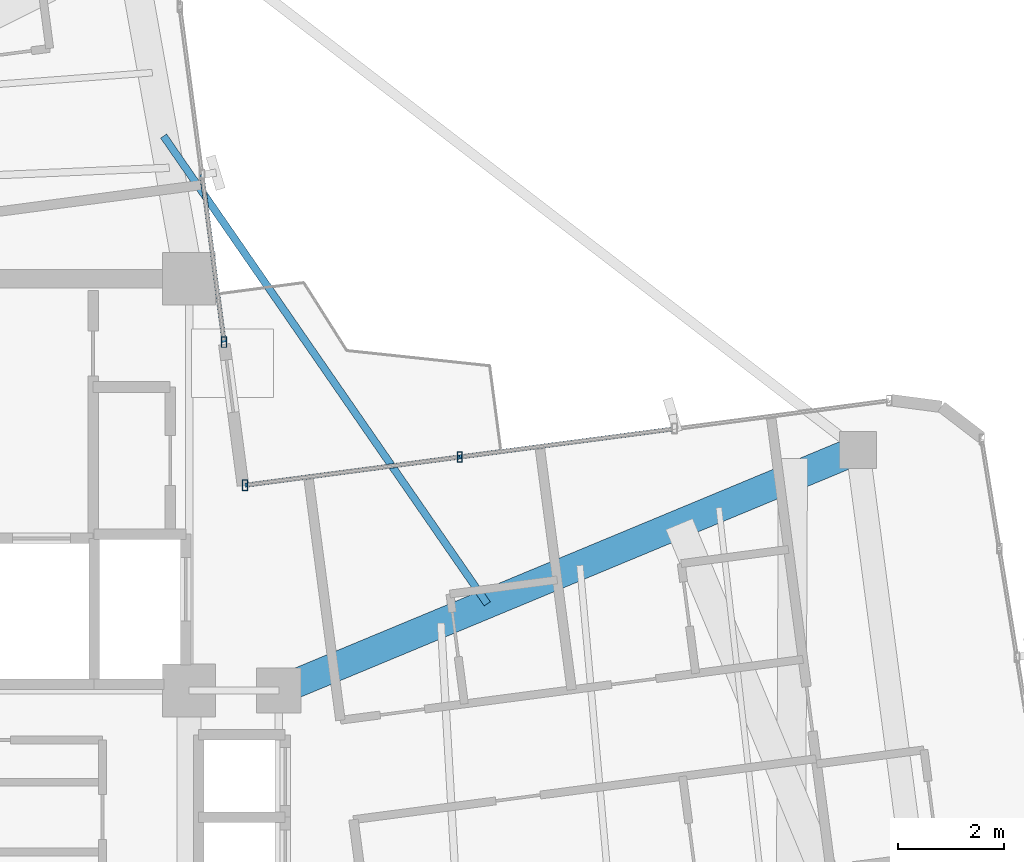
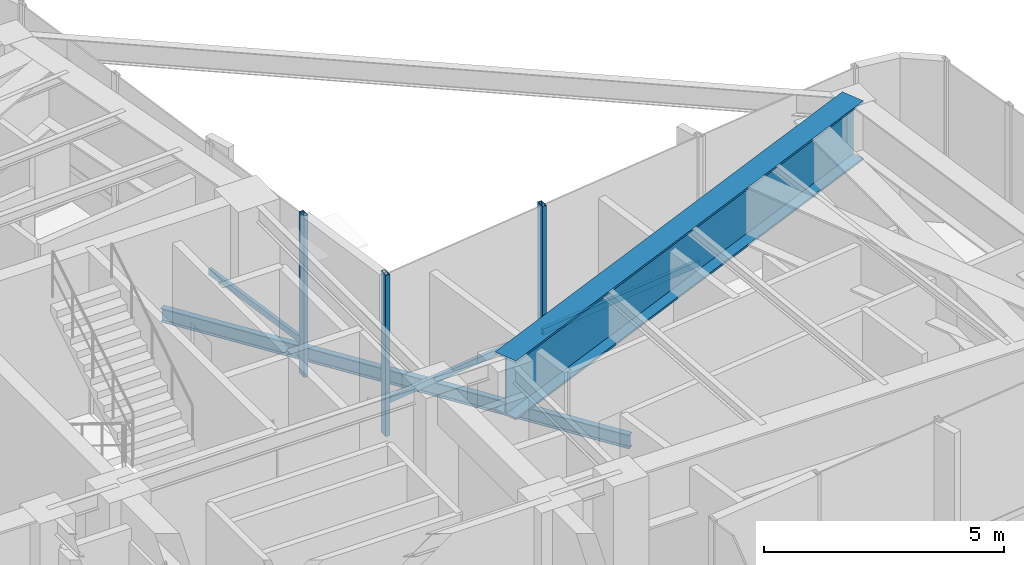
# One storey, part 7 of 18: 6 members, 2 beams, 2 elements without a shape of their own.
"""IFC4 building model written with IfcOpenShell, lengths in metres."""

from ifc_helpers import new_model, si_unit, direction, frame, origin, origin_2d, place, context, subcontext, project, spatial, hollow_rectangle, i_section, extrude, source, transform, mapped, material, material_profile, profile_set, type_object, element, aggregate, save


model = new_model("IFC4")

# Units and contexts
model_context = context("Model", 3, precision=1e-05, world=origin(), true_north=direction((0.0, 1.0)))
body_context = subcontext(model_context, "Body", "Model", "MODEL_VIEW")
ifc_project = project(units=[si_unit("LENGTHUNIT", "METRE"), si_unit("AREAUNIT", "SQUARE_METRE"), si_unit("VOLUMEUNIT", "CUBIC_METRE"), si_unit("PLANEANGLEUNIT", "RADIAN"), si_unit("MASSUNIT", "GRAM", prefix="KILO")], contexts=[model_context])

# Site, building, storey
site_placement = place(None, origin())
site = spatial("IfcSite", under=ifc_project, at=site_placement, CompositionType="ELEMENT")
building_placement = place(site_placement, origin())
building = spatial("IfcBuilding", under=site, at=building_placement, Name="Sahyath Konkavel Grand Hotel", CompositionType="ELEMENT")
storey_placement = place(building_placement, frame((0.0, 0.0, 275.800048828125)))
storey = spatial("IfcBuildingStorey", under=building, at=storey_placement, Name="L77", CompositionType="ELEMENT", Elevation=275.800048828125)

# Beam
ifc_material_1 = material(Name="Steel E450", Category="steel")
ifc_material_profile_1 = material_profile(ifc_material_1, i_section(OverallWidth=0.550048828125, OverallDepth=1.5, WebThickness=0.028076171875, FlangeThickness=0.050048828125, at=origin_2d()), Name="BPG 1500x550")
ifc_profile_set_1 = profile_set([ifc_material_profile_1], Name="Steel E450")
beam_type_1 = type_object("IfcBeamType", Name="BM-BPG1500", PredefinedType="BEAM", material=ifc_profile_set_1)
shared_shape_1 = source(origin(), body_context, "Body", "SweptSolid", [
    extrude(i_section(OverallWidth=0.550048828125, OverallDepth=1.5, WebThickness=0.028076171875, FlangeThickness=0.050048828125, at=origin_2d()), origin(), (0.0, 0.0, 1.0), 11.882080078125),
])
beam_1_placement = place(storey_placement, frame((5.5, 2.39990234375, 3.349853515625), z_axis=(0.923435785797, 0.383752979804, 0.0), x_axis=(-0.383752979804, 0.923435785797, 0.0)))
element("IfcBeam", 1, at=beam_1_placement, inside=storey, type_object=beam_type_1, Name="L77 Setback Transfer Girder EB", PredefinedType="BEAM", context=body_context, shape_type="MappedRepresentation", body=[
    mapped(shared_shape_1, transform((0.0, 0.0, 0.0), scale=1.0)),
])

# Curtain wall, members
ifc_material_2 = material(Name="Anodised Bronze Aluminium & Low-E Glazing", Category="aluminium")
curtain_wall_type = type_object("IfcCurtainWallType", Name="CW-ZONE4", PredefinedType="NOTDEFINED", material=ifc_material_2)
curtain_wall_1_placement = place(storey_placement, origin())
curtain_wall_1 = element("IfcCurtainWall", 2, at=curtain_wall_1_placement, inside=storey, type_object=curtain_wall_type, Name="L77 Unitised Curtain Wall F7", PredefinedType="NOTDEFINED")
ifc_material_3 = material(Name="Anodised Bronze Aluminium", Category="aluminium")
ifc_material_profile_2 = material_profile(ifc_material_3, hollow_rectangle(XDim=0.10009765625, YDim=0.199951171875, WallThickness=0.008056640625, at=origin_2d()), Name="RHS 200x100x8")
ifc_profile_set_2 = profile_set([ifc_material_profile_2], Name="Anodised Bronze Aluminium")
member_type_1 = type_object("IfcMemberType", Name="CW-MUL-200", PredefinedType="MULLION", material=ifc_profile_set_2)
shared_shape_2 = source(origin(), body_context, "Body", "SweptSolid", [
    extrude(hollow_rectangle(XDim=0.10009765625, YDim=0.199951171875, WallThickness=0.008056640625, at=origin_2d()), origin(), (0.0, 0.0, 1.0), 4.099853515625),
])
member_1_placement = place(storey_placement, frame((8.928955078125, 6.82373046875, 0.0), z_axis=(0.0, 0.0, 1.0), x_axis=(1.0, 0.0, 0.0)))
member_1 = element("IfcMember", 3, at=member_1_placement, type_object=member_type_1, Name="L77 Curtain Wall Mullion F7-2", PredefinedType="MULLION", context=body_context, shape_type="MappedRepresentation", body=[
    mapped(shared_shape_2, transform((0.0, 0.0, 0.0), scale=1.0)),
])
member_2_placement = place(storey_placement, frame((4.86083984375, 6.2880859375, 0.0), z_axis=(0.0, 0.0, 1.0), x_axis=(1.0, 0.0, 0.0)))
member_2 = element("IfcMember", 4, at=member_2_placement, type_object=member_type_1, Name="L77 Curtain Wall Mullion F7-3", PredefinedType="MULLION", context=body_context, shape_type="MappedRepresentation", body=[
    mapped(shared_shape_2, transform((0.0, 0.0, 0.0), scale=1.0)),
])

curtain_wall_2_placement = place(storey_placement, origin())
curtain_wall_2 = element("IfcCurtainWall", 5, at=curtain_wall_2_placement, inside=storey, type_object=curtain_wall_type, Name="L77 Unitised Curtain Wall F8", PredefinedType="NOTDEFINED")
member_3_placement = place(storey_placement, frame((4.46337890625, 8.99951171875, 0.0), z_axis=(0.0, 0.0, 1.0), x_axis=(1.0, 0.0, 0.0)))
member_3 = element("IfcMember", 6, at=member_3_placement, type_object=member_type_1, Name="L77 Curtain Wall Mullion F8-0", PredefinedType="MULLION", context=body_context, shape_type="MappedRepresentation", body=[
    mapped(shared_shape_2, transform((0.0, 0.0, 0.0), scale=1.0)),
])
ifc_material_profile_3 = material_profile(ifc_material_3, hollow_rectangle(XDim=0.080078125, YDim=0.159912109375, WallThickness=0.006103515625, at=origin_2d()), Name="RHS 160x80x6")
ifc_profile_set_3 = profile_set([ifc_material_profile_3], Name="Anodised Bronze Aluminium")
member_type_2 = type_object("IfcMemberType", Name="CW-TRN-160", PredefinedType="USERDEFINED", material=ifc_profile_set_3)
shared_shape_3 = source(origin(), body_context, "Body", "SweptSolid", [
    extrude(hollow_rectangle(XDim=0.080078125, YDim=0.159912109375, WallThickness=0.006103515625, at=origin_2d()), origin(), (0.0, 0.0, 1.0), 3.203369140625),
])
member_4_placement = place(storey_placement, frame((4.46337890625, 8.99951171875, 0.849853515625), z_axis=(-0.130476198668, 0.991451441867, 0.0), x_axis=(-0.991451441867, -0.130476198668, 0.0)))
member_4 = element("IfcMember", 7, at=member_4_placement, type_object=member_type_2, Name="L77 Curtain Wall Transom F8-0-spandrel", ObjectType="TRANSOM", PredefinedType="USERDEFINED", context=body_context, shape_type="MappedRepresentation", body=[
    mapped(shared_shape_3, transform((0.0, 0.0, 0.0), scale=1.0)),
])
aggregate(curtain_wall_2, [member_3, member_4])

# Member
shared_shape_4 = source(origin(), body_context, "Body", "SweptSolid", [
    extrude(hollow_rectangle(XDim=0.080078125, YDim=0.159912109375, WallThickness=0.006103515625, at=origin_2d()), origin(), (0.0, 0.0, 1.0), 4.103271484375),
])
member_5_placement = place(storey_placement, frame((8.928955078125, 6.82373046875, 0.849853515625), z_axis=(-0.991442748161, -0.130542242661, 0.0), x_axis=(0.130542242661, -0.991442748161, 0.0)))
member_5 = element("IfcMember", 8, at=member_5_placement, type_object=member_type_2, Name="L77 Curtain Wall Transom F7-2-spandrel", ObjectType="TRANSOM", PredefinedType="USERDEFINED", context=body_context, shape_type="MappedRepresentation", body=[
    mapped(shared_shape_4, transform((0.0, 0.0, 0.0), scale=1.0)),
])

shared_shape_5 = source(origin(), body_context, "Body", "SweptSolid", [
    extrude(hollow_rectangle(XDim=0.080078125, YDim=0.159912109375, WallThickness=0.006103515625, at=origin_2d()), origin(), (0.0, 0.0, 1.0), 4.103515625),
])
member_6_placement = place(storey_placement, frame((12.997314453125, 7.359619140625, 0.849853515625), z_axis=(-0.991436060505, -0.130593024052, 0.0), x_axis=(0.130593024052, -0.991436060505, 0.0)))
member_6 = element("IfcMember", 9, at=member_6_placement, type_object=member_type_2, Name="L77 Curtain Wall Transom F7-1-spandrel", ObjectType="TRANSOM", PredefinedType="USERDEFINED", context=body_context, shape_type="MappedRepresentation", body=[
    mapped(shared_shape_5, transform((0.0, 0.0, 0.0), scale=1.0)),
])

aggregate(curtain_wall_1, [member_1, member_2, member_6, member_5])

# Beam
ifc_material_4 = material(Name="Steel E350", Category="steel")
ifc_material_profile_4 = material_profile(ifc_material_4, i_section(OverallWidth=0.139892578125, OverallDepth=0.35009765625, WebThickness=0.008056640625, FlangeThickness=0.01416015625, FilletRadius=0.013916015625, at=origin_2d()), Name="ISMB 350")
ifc_profile_set_4 = profile_set([ifc_material_profile_4], Name="Steel E350")
beam_type_2 = type_object("IfcBeamType", Name="BM-BALC-CANT", PredefinedType="BEAM", material=ifc_profile_set_4)
shared_shape_6 = source(origin(), body_context, "Body", "SweptSolid", [
    extrude(i_section(OverallWidth=0.139892578125, OverallDepth=0.35009765625, WebThickness=0.008056640625, FlangeThickness=0.01416015625, FilletRadius=0.013916015625, at=origin_2d()), origin(), (0.0, 0.0, 1.0), 10.778076171875),
])
beam_2_placement = place(storey_placement, frame((9.4501953125, 4.04150390625, -0.4150390625), z_axis=(-0.569013254295, 0.822328350743, 0.0), x_axis=(-0.822328350743, -0.569013254295, 0.0)))
element("IfcBeam", 10, at=beam_2_placement, inside=storey, type_object=beam_type_2, Name="L77 Balcony Cantilever Support Beam NE", PredefinedType="BEAM", context=body_context, shape_type="MappedRepresentation", body=[
    mapped(shared_shape_6, transform((0.0, 0.0, 0.0), scale=1.0)),
])

save(model, "model.ifc")
